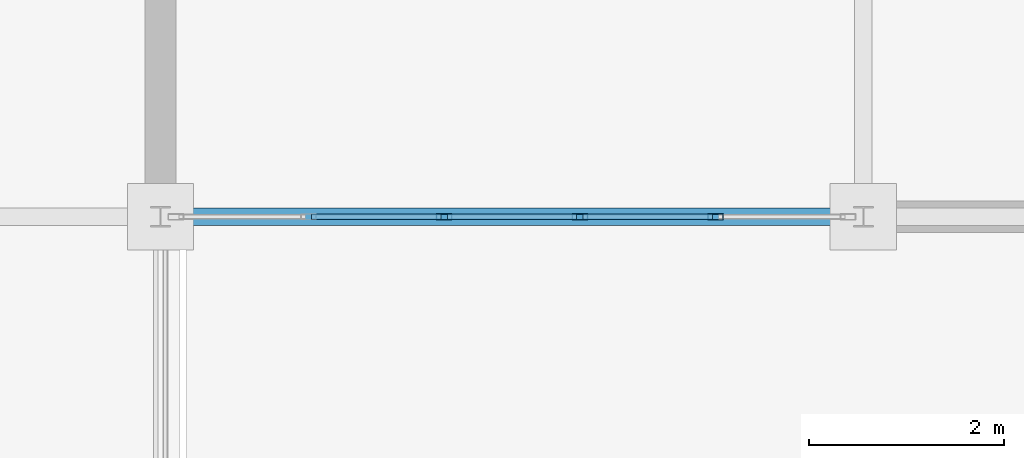
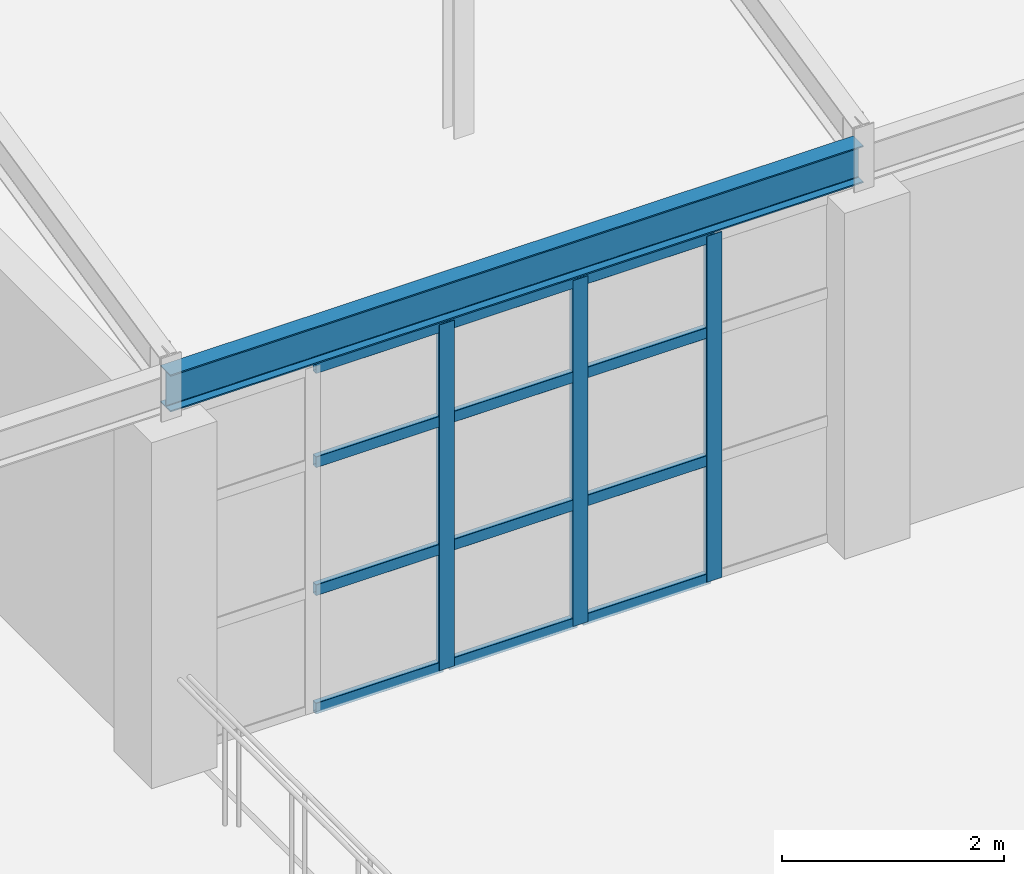
# One storey, part 28 of 101: 15 members, 1 beam, 1 element without a shape of its own.
"""IFC4 building model written with IfcOpenShell, lengths in metres."""

from ifc_helpers import new_model, si_unit, direction, frame, origin, origin_2d, place, context, subcontext, project, spatial, hollow_rectangle, i_section, extrude, material, layer, layer_set, material_profile, profile_set, type_object, element, aggregate, save


model = new_model("IFC4")

# Units and contexts
model_context = context("Model", 3, precision=1e-05, world=origin(), true_north=direction((0.0, 1.0)))
body_context = subcontext(model_context, "Body", "Model", "MODEL_VIEW")
ifc_project = project(units=[si_unit("LENGTHUNIT", "METRE"), si_unit("AREAUNIT", "SQUARE_METRE"), si_unit("VOLUMEUNIT", "CUBIC_METRE"), si_unit("PLANEANGLEUNIT", "RADIAN"), si_unit("MASSUNIT", "GRAM", prefix="KILO")], contexts=[model_context])

# Site, building, storey
site_placement = place(None, origin())
site = spatial("IfcSite", under=ifc_project, at=site_placement, CompositionType="ELEMENT")
building_placement = place(site_placement, origin())
building = spatial("IfcBuilding", under=site, at=building_placement, Name="Kemerveld Promenade Tramway Depot", CompositionType="ELEMENT")
storey_placement = place(building_placement, frame((0.0, 0.0, 9.89990234375)))
storey = spatial("IfcBuildingStorey", under=building, at=storey_placement, Name="L02", CompositionType="ELEMENT", Elevation=9.89990234375)

# Beam
ifc_material_1 = material(Name="Steel S355", Category="steel")
ifc_material_profile_1 = material_profile(ifc_material_1, i_section(OverallWidth=0.1787109375, OverallDepth=0.409423828125, WebThickness=0.0087890625, FlangeThickness=0.014404296875, FilletRadius=0.01025390625, at=origin_2d()), Name="406x178x67 UB")
ifc_profile_set_1 = profile_set([ifc_material_profile_1], Name="Steel S355")
beam_type = type_object("IfcBeamType", Name="BM-G07", PredefinedType="BEAM", material=ifc_profile_set_1)
beam_placement = place(storey_placement, frame((57.60009765625, 7.199951171875, 4.0703125), z_axis=(1.0, 0.0, 0.0), x_axis=(0.0, 1.0, 0.0)))
element("IfcBeam", 1, at=beam_placement, inside=storey, type_object=beam_type, Name="BMX-L02-09-10-B", PredefinedType="BEAM", context=body_context, shape_type="SweptSolid", body=[
    extrude(i_section(OverallWidth=0.1787109375, OverallDepth=0.409423828125, WebThickness=0.0087890625, FlangeThickness=0.014404296875, FilletRadius=0.01025390625, at=origin_2d()), origin(), (0.0, 0.0, 1.0), 7.199951171875),
])

# Curtain wall, members
ifc_material_2 = material(Name="Bronze anodised aluminium and solar glass", Category="aluminium")
ifc_layer = layer(ifc_material_2, 0.159912109375)
ifc_layer_set = layer_set([ifc_layer], Name="CW-SYS-13")
curtain_wall_type = type_object("IfcCurtainWallType", Name="CW-SYS-13", PredefinedType="USERDEFINED", material=ifc_layer_set)
curtain_wall_placement = place(storey_placement, origin())
curtain_wall = element("IfcCurtainWall", 2, at=curtain_wall_placement, inside=storey, type_object=curtain_wall_type, Name="CW-L02-V4S-10", ObjectType="GLAZED_CURTAIN_WALL", PredefinedType="USERDEFINED")
ifc_material_3 = material(Name="Bronze anodised aluminium", Category="aluminium")
ifc_material_profile_2 = material_profile(ifc_material_3, hollow_rectangle(XDim=0.06494140625, YDim=0.159912109375, WallThickness=0.00390625, InnerFilletRadius=0.001953125, OuterFilletRadius=0.00390625, at=origin_2d()), Name="CW-MUL-160x65")
ifc_profile_set_2 = profile_set([ifc_material_profile_2], Name="Bronze anodised aluminium")
member_type_1 = type_object("IfcMemberType", Name="CW-MUL-A", PredefinedType="MULLION", material=ifc_profile_set_2)
member_1_placement = place(storey_placement, frame((63.28515625, 7.199951171875, 0.0), z_axis=(0.0, 0.0, 1.0), x_axis=(0.0, -1.0, 0.0)))
member_1 = element("IfcMember", 3, at=member_1_placement, type_object=member_type_1, Name="CW13 mullion 2", PredefinedType="MULLION", context=body_context, shape_type="SweptSolid", body=[
    extrude(hollow_rectangle(XDim=0.06494140625, YDim=0.159912109375, WallThickness=0.00390625, InnerFilletRadius=0.001953125, OuterFilletRadius=0.00390625, at=origin_2d()), origin(), (0.0, 0.0, 1.0), 3.800048828125),
])
member_2_placement = place(storey_placement, frame((61.89501953125, 7.199951171875, 0.0), z_axis=(0.0, 0.0, 1.0), x_axis=(0.0, -1.0, 0.0)))
member_2 = element("IfcMember", 4, at=member_2_placement, type_object=member_type_1, Name="CW13 mullion 3", PredefinedType="MULLION", context=body_context, shape_type="SweptSolid", body=[
    extrude(hollow_rectangle(XDim=0.06494140625, YDim=0.159912109375, WallThickness=0.00390625, InnerFilletRadius=0.001953125, OuterFilletRadius=0.00390625, at=origin_2d()), origin(), (0.0, 0.0, 1.0), 3.800048828125),
])
member_3_placement = place(storey_placement, frame((60.5048828125, 7.199951171875, 0.0), z_axis=(0.0, 0.0, 1.0), x_axis=(0.0, -1.0, 0.0)))
member_3 = element("IfcMember", 5, at=member_3_placement, type_object=member_type_1, Name="CW13 mullion 4", PredefinedType="MULLION", context=body_context, shape_type="SweptSolid", body=[
    extrude(hollow_rectangle(XDim=0.06494140625, YDim=0.159912109375, WallThickness=0.00390625, InnerFilletRadius=0.001953125, OuterFilletRadius=0.00390625, at=origin_2d()), origin(), (0.0, 0.0, 1.0), 3.800048828125),
])
ifc_material_profile_3 = material_profile(ifc_material_3, hollow_rectangle(XDim=0.06005859375, YDim=0.1201171875, WallThickness=0.00390625, InnerFilletRadius=0.001953125, OuterFilletRadius=0.00390625, at=origin_2d()), Name="CW-TRN-120x60")
ifc_profile_set_3 = profile_set([ifc_material_profile_3], Name="Bronze anodised aluminium")
member_type_2 = type_object("IfcMemberType", Name="CW-TRN-A", PredefinedType="USERDEFINED", material=ifc_profile_set_3)
member_4_placement = place(storey_placement, frame((63.252685546875, 7.199951171875, 0.030029296875), z_axis=(-1.0, 0.0, 0.0), x_axis=(0.0, -1.0, 0.0)))
member_4 = element("IfcMember", 6, at=member_4_placement, type_object=member_type_2, Name="CW13 transom 2.1", ObjectType="TRANSOM", PredefinedType="USERDEFINED", context=body_context, shape_type="SweptSolid", body=[
    extrude(hollow_rectangle(XDim=0.06005859375, YDim=0.1201171875, WallThickness=0.00390625, InnerFilletRadius=0.001953125, OuterFilletRadius=0.00390625, at=origin_2d()), origin(), (0.0, 0.0, 1.0), 1.3251953125),
])
member_5_placement = place(storey_placement, frame((63.252685546875, 7.199951171875, 1.330078125), z_axis=(-1.0, 0.0, 0.0), x_axis=(0.0, -1.0, 0.0)))
member_5 = element("IfcMember", 7, at=member_5_placement, type_object=member_type_2, Name="CW13 transom 2.2", ObjectType="TRANSOM", PredefinedType="USERDEFINED", context=body_context, shape_type="SweptSolid", body=[
    extrude(hollow_rectangle(XDim=0.06005859375, YDim=0.1201171875, WallThickness=0.00390625, InnerFilletRadius=0.001953125, OuterFilletRadius=0.00390625, at=origin_2d()), origin(), (0.0, 0.0, 1.0), 1.3251953125),
])
member_6_placement = place(storey_placement, frame((63.252685546875, 7.199951171875, 2.736083984375), z_axis=(-1.0, 0.0, 0.0), x_axis=(0.0, -1.0, 0.0)))
member_6 = element("IfcMember", 8, at=member_6_placement, type_object=member_type_2, Name="CW13 transom 2.3", ObjectType="TRANSOM", PredefinedType="USERDEFINED", context=body_context, shape_type="SweptSolid", body=[
    extrude(hollow_rectangle(XDim=0.06005859375, YDim=0.1201171875, WallThickness=0.00390625, InnerFilletRadius=0.001953125, OuterFilletRadius=0.00390625, at=origin_2d()), origin(), (0.0, 0.0, 1.0), 1.3251953125),
])
member_7_placement = place(storey_placement, frame((63.252685546875, 7.199951171875, 3.77001953125), z_axis=(-1.0, 0.0, 0.0), x_axis=(0.0, -1.0, 0.0)))
member_7 = element("IfcMember", 9, at=member_7_placement, type_object=member_type_2, Name="CW13 transom 2.4", ObjectType="TRANSOM", PredefinedType="USERDEFINED", context=body_context, shape_type="SweptSolid", body=[
    extrude(hollow_rectangle(XDim=0.06005859375, YDim=0.1201171875, WallThickness=0.00390625, InnerFilletRadius=0.001953125, OuterFilletRadius=0.00390625, at=origin_2d()), origin(), (0.0, 0.0, 1.0), 1.3251953125),
])
member_8_placement = place(storey_placement, frame((61.862548828125, 7.199951171875, 0.030029296875), z_axis=(-1.0, 0.0, 0.0), x_axis=(0.0, -1.0, 0.0)))
member_8 = element("IfcMember", 10, at=member_8_placement, type_object=member_type_2, Name="CW13 transom 3.1", ObjectType="TRANSOM", PredefinedType="USERDEFINED", context=body_context, shape_type="SweptSolid", body=[
    extrude(hollow_rectangle(XDim=0.06005859375, YDim=0.1201171875, WallThickness=0.00390625, InnerFilletRadius=0.001953125, OuterFilletRadius=0.00390625, at=origin_2d()), origin(), (0.0, 0.0, 1.0), 1.3251953125),
])
member_9_placement = place(storey_placement, frame((61.862548828125, 7.199951171875, 1.330078125), z_axis=(-1.0, 0.0, 0.0), x_axis=(0.0, -1.0, 0.0)))
member_9 = element("IfcMember", 11, at=member_9_placement, type_object=member_type_2, Name="CW13 transom 3.2", ObjectType="TRANSOM", PredefinedType="USERDEFINED", context=body_context, shape_type="SweptSolid", body=[
    extrude(hollow_rectangle(XDim=0.06005859375, YDim=0.1201171875, WallThickness=0.00390625, InnerFilletRadius=0.001953125, OuterFilletRadius=0.00390625, at=origin_2d()), origin(), (0.0, 0.0, 1.0), 1.3251953125),
])
member_10_placement = place(storey_placement, frame((61.862548828125, 7.199951171875, 2.736083984375), z_axis=(-1.0, 0.0, 0.0), x_axis=(0.0, -1.0, 0.0)))
member_10 = element("IfcMember", 12, at=member_10_placement, type_object=member_type_2, Name="CW13 transom 3.3", ObjectType="TRANSOM", PredefinedType="USERDEFINED", context=body_context, shape_type="SweptSolid", body=[
    extrude(hollow_rectangle(XDim=0.06005859375, YDim=0.1201171875, WallThickness=0.00390625, InnerFilletRadius=0.001953125, OuterFilletRadius=0.00390625, at=origin_2d()), origin(), (0.0, 0.0, 1.0), 1.3251953125),
])
member_11_placement = place(storey_placement, frame((61.862548828125, 7.199951171875, 3.77001953125), z_axis=(-1.0, 0.0, 0.0), x_axis=(0.0, -1.0, 0.0)))
member_11 = element("IfcMember", 13, at=member_11_placement, type_object=member_type_2, Name="CW13 transom 3.4", ObjectType="TRANSOM", PredefinedType="USERDEFINED", context=body_context, shape_type="SweptSolid", body=[
    extrude(hollow_rectangle(XDim=0.06005859375, YDim=0.1201171875, WallThickness=0.00390625, InnerFilletRadius=0.001953125, OuterFilletRadius=0.00390625, at=origin_2d()), origin(), (0.0, 0.0, 1.0), 1.3251953125),
])
member_12_placement = place(storey_placement, frame((60.472412109375, 7.199951171875, 0.030029296875), z_axis=(-1.0, 0.0, 0.0), x_axis=(0.0, -1.0, 0.0)))
member_12 = element("IfcMember", 14, at=member_12_placement, type_object=member_type_2, Name="CW13 transom 4.1", ObjectType="TRANSOM", PredefinedType="USERDEFINED", context=body_context, shape_type="SweptSolid", body=[
    extrude(hollow_rectangle(XDim=0.06005859375, YDim=0.1201171875, WallThickness=0.00390625, InnerFilletRadius=0.001953125, OuterFilletRadius=0.00390625, at=origin_2d()), origin(), (0.0, 0.0, 1.0), 1.324951171875),
])
member_13_placement = place(storey_placement, frame((60.472412109375, 7.199951171875, 1.330078125), z_axis=(-1.0, 0.0, 0.0), x_axis=(0.0, -1.0, 0.0)))
member_13 = element("IfcMember", 15, at=member_13_placement, type_object=member_type_2, Name="CW13 transom 4.2", ObjectType="TRANSOM", PredefinedType="USERDEFINED", context=body_context, shape_type="SweptSolid", body=[
    extrude(hollow_rectangle(XDim=0.06005859375, YDim=0.1201171875, WallThickness=0.00390625, InnerFilletRadius=0.001953125, OuterFilletRadius=0.00390625, at=origin_2d()), origin(), (0.0, 0.0, 1.0), 1.324951171875),
])
member_14_placement = place(storey_placement, frame((60.472412109375, 7.199951171875, 2.736083984375), z_axis=(-1.0, 0.0, 0.0), x_axis=(0.0, -1.0, 0.0)))
member_14 = element("IfcMember", 16, at=member_14_placement, type_object=member_type_2, Name="CW13 transom 4.3", ObjectType="TRANSOM", PredefinedType="USERDEFINED", context=body_context, shape_type="SweptSolid", body=[
    extrude(hollow_rectangle(XDim=0.06005859375, YDim=0.1201171875, WallThickness=0.00390625, InnerFilletRadius=0.001953125, OuterFilletRadius=0.00390625, at=origin_2d()), origin(), (0.0, 0.0, 1.0), 1.324951171875),
])
member_15_placement = place(storey_placement, frame((60.472412109375, 7.199951171875, 3.77001953125), z_axis=(-1.0, 0.0, 0.0), x_axis=(0.0, -1.0, 0.0)))
member_15 = element("IfcMember", 17, at=member_15_placement, type_object=member_type_2, Name="CW13 transom 4.4", ObjectType="TRANSOM", PredefinedType="USERDEFINED", context=body_context, shape_type="SweptSolid", body=[
    extrude(hollow_rectangle(XDim=0.06005859375, YDim=0.1201171875, WallThickness=0.00390625, InnerFilletRadius=0.001953125, OuterFilletRadius=0.00390625, at=origin_2d()), origin(), (0.0, 0.0, 1.0), 1.324951171875),
])
aggregate(curtain_wall, [member_1, member_2, member_3, member_4, member_5, member_6, member_7, member_8, member_9, member_10, member_11, member_12, member_13, member_14, member_15])

save(model, "model.ifc")
